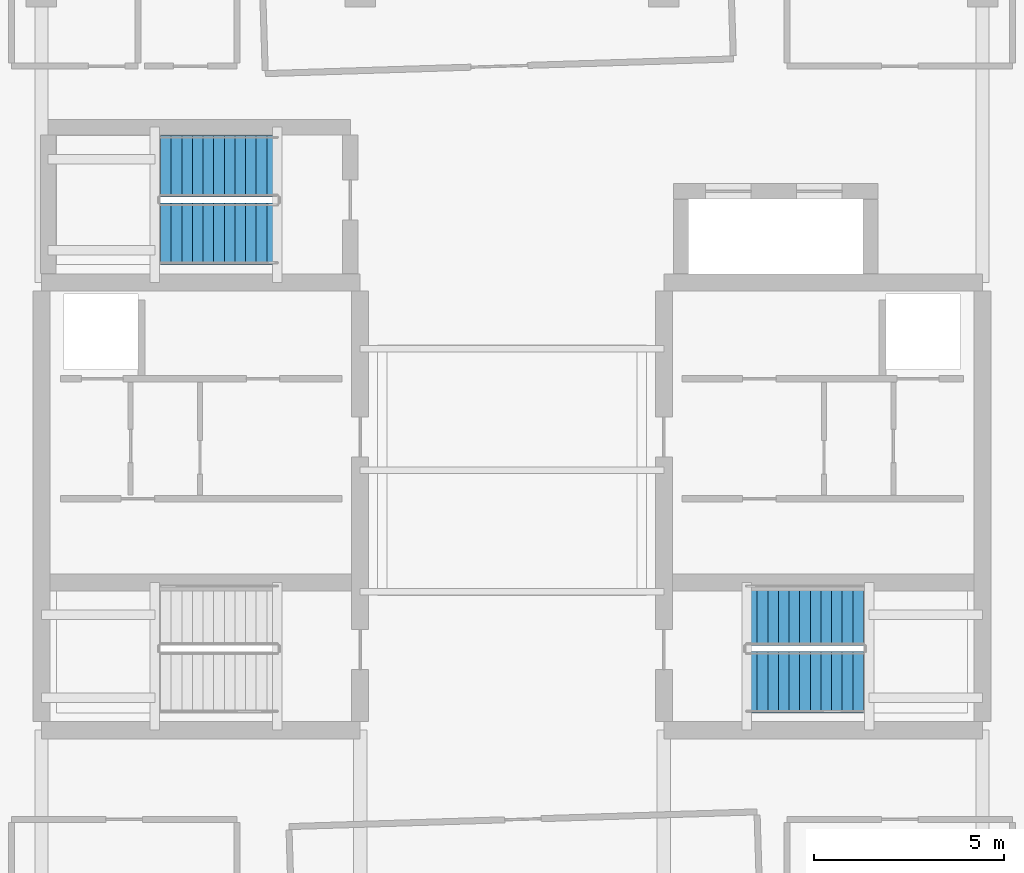
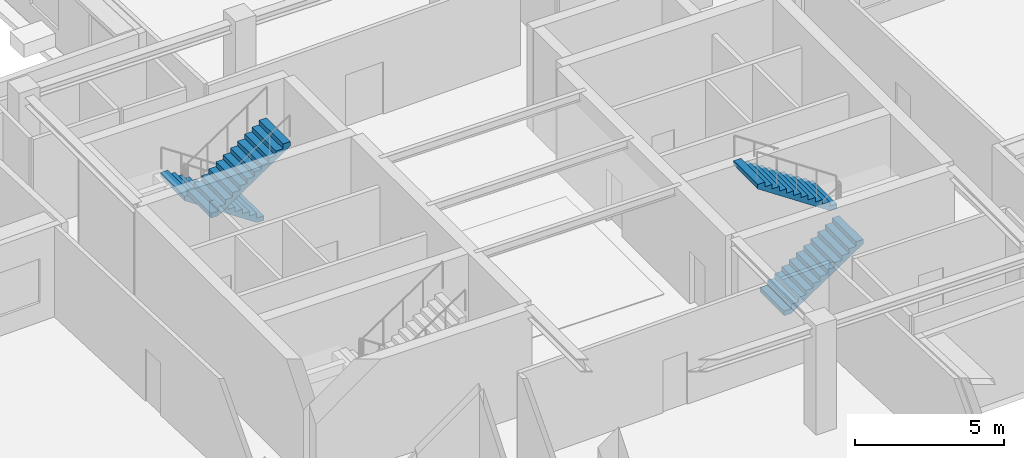
# One storey, part 13 of 18: 4 stair flights, 2 elements without a shape of their own.
"""IFC4 building model written with IfcOpenShell, lengths in metres."""

from ifc_helpers import new_model, si_unit, direction, frame, origin, place, context, subcontext, project, spatial, polyline, outline, extrude, material, layer, layer_set, type_object, element, aggregate, save


model = new_model("IFC4")

# Units and contexts
model_context = context("Model", 3, precision=1e-05, world=origin(), true_north=direction((0.0, 1.0)))
body_context = subcontext(model_context, "Body", "Model", "MODEL_VIEW")
ifc_project = project(units=[si_unit("LENGTHUNIT", "METRE"), si_unit("AREAUNIT", "SQUARE_METRE"), si_unit("VOLUMEUNIT", "CUBIC_METRE"), si_unit("PLANEANGLEUNIT", "RADIAN"), si_unit("MASSUNIT", "GRAM", prefix="KILO")], contexts=[model_context])

# Site, building, storey
site_placement = place(None, origin())
site = spatial("IfcSite", under=ifc_project, at=site_placement, CompositionType="ELEMENT")
building_placement = place(site_placement, origin())
building = spatial("IfcBuilding", under=site, at=building_placement, Name="Qingluan Cross Belvedere", CompositionType="ELEMENT")
storey_placement = place(building_placement, frame((0.0, 0.0, 299.39990234375)))
storey = spatial("IfcBuildingStorey", under=building, at=storey_placement, Name="L74", CompositionType="ELEMENT", Elevation=299.39990234375)

# Stair, stair flights
ifc_material_1 = material(Name="Concrete C40", Category="concrete")
stair_type = type_object("IfcStairType", Name="CoreDoglegStair_1620", PredefinedType="HALF_TURN_STAIR", material=ifc_material_1)
stair_1_placement = place(storey_placement, origin())
stair_1 = element("IfcStair", 1, at=stair_1_placement, inside=storey, type_object=stair_type, Name="L74 ST2", PredefinedType="HALF_TURN_STAIR")
ifc_material_2 = material(Name="Concrete C40", Category="concrete")
ifc_layer = layer(ifc_material_2, 0.179931640625, Name="StairFlight_RC180")
ifc_layer_set = layer_set([ifc_layer], Name="Concrete C40")
stair_flight_type = type_object("IfcStairFlightType", Name="StairFlight_RC180", PredefinedType="STRAIGHT", material=ifc_layer_set)
stair_flight_1_placement = place(storey_placement, frame((6.179931640625, -5.590087890625, 0.0), z_axis=(0.0, 0.0, 1.0), x_axis=(1.0, 0.0, 0.0)))
stair_flight_1 = element("IfcStairFlight", 2, at=stair_flight_1_placement, type_object=stair_flight_type, Name="ST2 flight 1", NumberOfRisers=12, NumberOfTreads=11, PredefinedType="STRAIGHT", RiserHeight=0.1875, TreadLength=0.28, context=body_context, shape_type="SweptSolid", body=[
    extrude(outline(polyline([(0.0, 0.0), (0.0, 0.1875), (0.280029296875, 0.1875), (0.280029296875, 0.375), (0.56005859375, 0.375), (0.56005859375, 0.5625), (0.840087890625, 0.5625), (0.840087890625, 0.75), (1.1201171875, 0.75), (1.1201171875, 0.9375), (1.39990234375, 0.9375), (1.39990234375, 1.125), (1.679931640625, 1.125), (1.679931640625, 1.3125), (1.9599609375, 1.3125), (1.9599609375, 1.5), (2.239990234375, 1.5), (2.239990234375, 1.6875), (2.52001953125, 1.6875), (2.52001953125, 1.875), (2.800048828125, 1.875), (2.800048828125, 2.0625), (3.080078125, 2.0625), (3.080078125, 2.25), (3.080078125, 1.882080078125), (0.26953125, 0.0), (0.0, 0.0)])), frame((0.0, 0.81005859375, 0.0), z_axis=(0.0, -1.0, 0.0), x_axis=(1.0, 0.0, 0.0)), (0.0, 0.0, 1.0), 1.6201171875),
])
stair_flight_2_placement = place(storey_placement, frame((9.260009765625, -3.81005859375, 2.25), z_axis=(0.0, 0.0, 1.0), x_axis=(-1.0, 0.0, 0.0)))
stair_flight_2 = element("IfcStairFlight", 3, at=stair_flight_2_placement, type_object=stair_flight_type, Name="ST2 flight 2", NumberOfRisers=12, NumberOfTreads=11, PredefinedType="STRAIGHT", RiserHeight=0.1875, TreadLength=0.28, context=body_context, shape_type="SweptSolid", body=[
    extrude(outline(polyline([(0.0, 0.0), (0.0, 0.1875), (0.280029296875, 0.1875), (0.280029296875, 0.375), (0.56005859375, 0.375), (0.56005859375, 0.5625), (0.840087890625, 0.5625), (0.840087890625, 0.75), (1.1201171875, 0.75), (1.1201171875, 0.9375), (1.39990234375, 0.9375), (1.39990234375, 1.125), (1.679931640625, 1.125), (1.679931640625, 1.3125), (1.9599609375, 1.3125), (1.9599609375, 1.5), (2.239990234375, 1.5), (2.239990234375, 1.6875), (2.52001953125, 1.6875), (2.52001953125, 1.875), (2.800048828125, 1.875), (2.800048828125, 2.0625), (3.080078125, 2.0625), (3.080078125, 2.25), (3.080078125, 1.882080078125), (0.26953125, 0.0), (0.0, 0.0)])), frame((0.0, 0.81005859375, 0.0), z_axis=(0.0, -1.0, 0.0), x_axis=(1.0, 0.0, 0.0)), (0.0, 0.0, 1.0), 1.6201171875),
])
aggregate(stair_1, [stair_flight_1, stair_flight_2])

stair_2_placement = place(storey_placement, origin())
stair_2 = element("IfcStair", 4, at=stair_2_placement, inside=storey, type_object=stair_type, Name="L74 ST3", PredefinedType="HALF_TURN_STAIR")
stair_flight_3_placement = place(storey_placement, frame((-6.179931640625, 8.010009765625, 0.0), z_axis=(0.0, 0.0, 1.0), x_axis=(-1.0, 0.0, 0.0)))
stair_flight_3 = element("IfcStairFlight", 5, at=stair_flight_3_placement, type_object=stair_flight_type, Name="ST3 flight 1", NumberOfRisers=12, NumberOfTreads=11, PredefinedType="STRAIGHT", RiserHeight=0.1875, TreadLength=0.28, context=body_context, shape_type="SweptSolid", body=[
    extrude(outline(polyline([(0.0, 0.0), (0.0, 0.1875), (0.280029296875, 0.1875), (0.280029296875, 0.375), (0.56005859375, 0.375), (0.56005859375, 0.5625), (0.840087890625, 0.5625), (0.840087890625, 0.75), (1.1201171875, 0.75), (1.1201171875, 0.9375), (1.39990234375, 0.9375), (1.39990234375, 1.125), (1.679931640625, 1.125), (1.679931640625, 1.3125), (1.9599609375, 1.3125), (1.9599609375, 1.5), (2.239990234375, 1.5), (2.239990234375, 1.6875), (2.52001953125, 1.6875), (2.52001953125, 1.875), (2.800048828125, 1.875), (2.800048828125, 2.0625), (3.080078125, 2.0625), (3.080078125, 2.25), (3.080078125, 1.882080078125), (0.26953125, 0.0), (0.0, 0.0)])), frame((0.0, 0.81005859375, 0.0), z_axis=(0.0, -1.0, 0.0), x_axis=(1.0, 0.0, 0.0)), (0.0, 0.0, 1.0), 1.6201171875),
])
stair_flight_4_placement = place(storey_placement, frame((-9.260009765625, 6.22998046875, 2.25), z_axis=(0.0, 0.0, 1.0), x_axis=(1.0, 0.0, 0.0)))
stair_flight_4 = element("IfcStairFlight", 6, at=stair_flight_4_placement, type_object=stair_flight_type, Name="ST3 flight 2", NumberOfRisers=12, NumberOfTreads=11, PredefinedType="STRAIGHT", RiserHeight=0.1875, TreadLength=0.28, context=body_context, shape_type="SweptSolid", body=[
    extrude(outline(polyline([(0.0, 0.0), (0.0, 0.1875), (0.280029296875, 0.1875), (0.280029296875, 0.375), (0.56005859375, 0.375), (0.56005859375, 0.5625), (0.840087890625, 0.5625), (0.840087890625, 0.75), (1.1201171875, 0.75), (1.1201171875, 0.9375), (1.39990234375, 0.9375), (1.39990234375, 1.125), (1.679931640625, 1.125), (1.679931640625, 1.3125), (1.9599609375, 1.3125), (1.9599609375, 1.5), (2.239990234375, 1.5), (2.239990234375, 1.6875), (2.52001953125, 1.6875), (2.52001953125, 1.875), (2.800048828125, 1.875), (2.800048828125, 2.0625), (3.080078125, 2.0625), (3.080078125, 2.25), (3.080078125, 1.882080078125), (0.26953125, 0.0), (0.0, 0.0)])), frame((0.0, 0.81005859375, 0.0), z_axis=(0.0, -1.0, 0.0), x_axis=(1.0, 0.0, 0.0)), (0.0, 0.0, 1.0), 1.6201171875),
])
aggregate(stair_2, [stair_flight_3, stair_flight_4])

save(model, "model.ifc")
